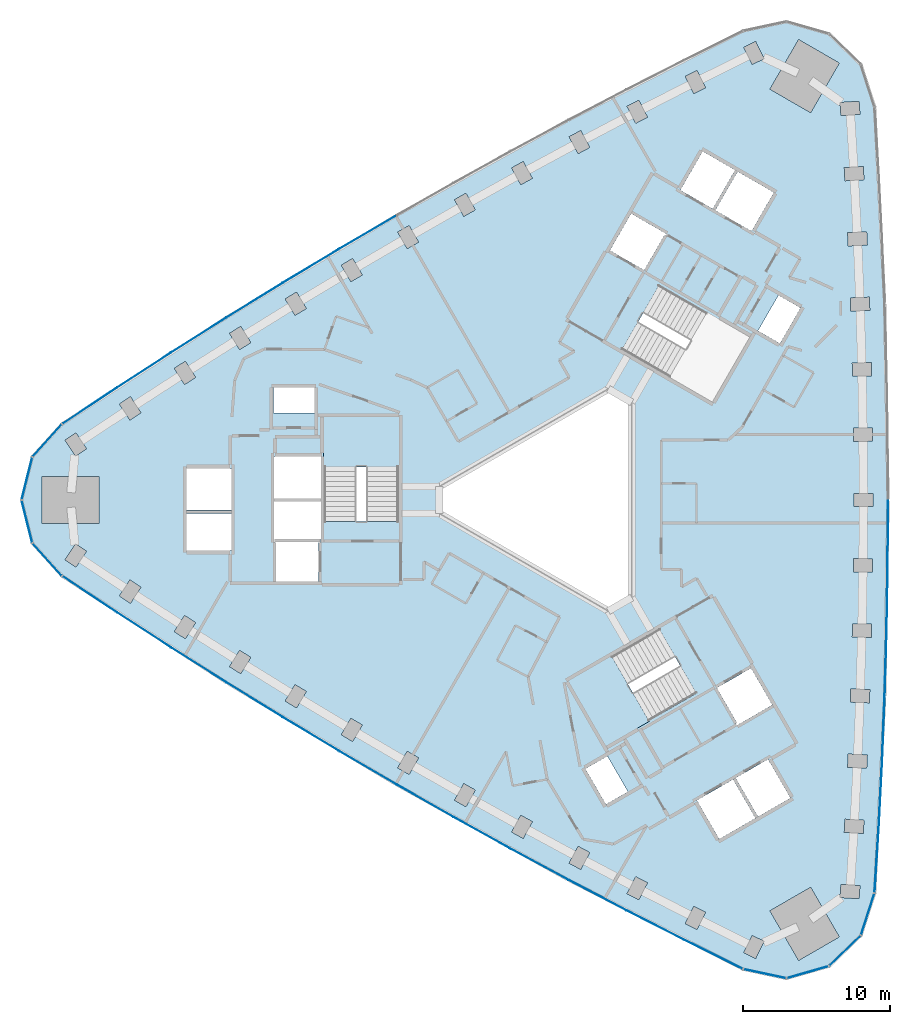
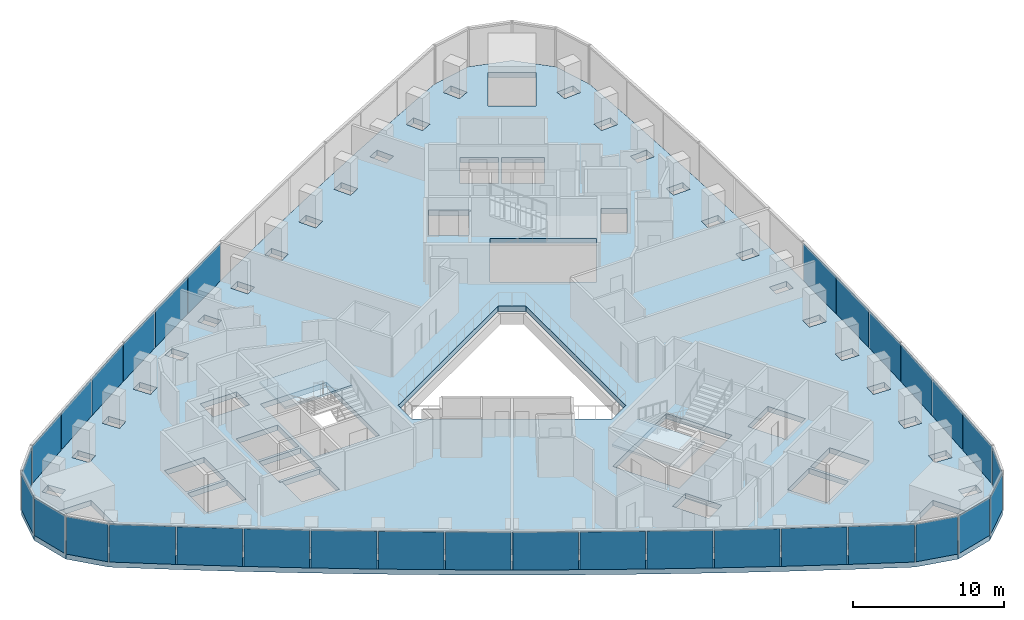
# One storey, part 6 of 12: 32 plates, 3 slabs, 5 elements without a shape of their own.
"""IFC4 building model written with IfcOpenShell, lengths in metres."""

from ifc_helpers import new_model, si_unit, direction, frame, origin, origin_2d, place, context, subcontext, project, spatial, polyline, rectangle, outline, extrude, material, layer, layer_set, type_object, element, aggregate, save


model = new_model("IFC4")

# Units and contexts
model_context = context("Model", 3, precision=1e-05, world=origin(), true_north=direction((0.0, 1.0)))
body_context = subcontext(model_context, "Body", "Model", "MODEL_VIEW")
ifc_project = project(units=[si_unit("LENGTHUNIT", "METRE"), si_unit("AREAUNIT", "SQUARE_METRE"), si_unit("VOLUMEUNIT", "CUBIC_METRE"), si_unit("PLANEANGLEUNIT", "RADIAN"), si_unit("MASSUNIT", "GRAM", prefix="KILO")], contexts=[model_context])

# Site, building, storey
site_placement = place(None, origin())
site = spatial("IfcSite", under=ifc_project, at=site_placement, CompositionType="ELEMENT")
building_placement = place(site_placement, origin())
building = spatial("IfcBuilding", under=site, at=building_placement, Name="Tamra Quay Hotel Tower", CompositionType="ELEMENT")
storey_placement = place(building_placement, frame((0.0, 0.0, 115.39990234375)))
storey = spatial("IfcBuildingStorey", under=building, at=storey_placement, Name="L28", CompositionType="ELEMENT", Elevation=115.39990234375)

# Stair, slab
ifc_material_1 = material(Name="Exit stair 2200 24 risers 150.0 going 342")
stair_type = type_object("IfcStairType", Name="Exit stair 2200 24 risers 150.0 going 342", PredefinedType="HALF_TURN_STAIR", material=ifc_material_1)
stair_1_placement = place(storey_placement, origin())
stair_1 = element("IfcStair", 1, at=stair_1_placement, inside=storey, type_object=stair_type, Name="L28 Exit stair ST3", PredefinedType="HALF_TURN_STAIR")
ifc_material_2 = material(Name="Concrete M70", Category="concrete")
ifc_layer_1 = layer(ifc_material_2, 0.175048828125)
ifc_layer_set_1 = layer_set([ifc_layer_1], Name="Concrete M70 stair landing 180")
slab_type_1 = type_object("IfcSlabType", Name="Concrete M70 stair landing 180", PredefinedType="LANDING", material=ifc_layer_set_1)
slab_1_placement = place(storey_placement, frame((0.0, 0.0, 1.625)))
slab_1 = element("IfcSlab", 2, at=slab_1_placement, type_object=slab_type_1, Name="ST3 landing 1", PredefinedType="LANDING", context=body_context, shape_type="SweptSolid", body=[
    extrude(outline(polyline([(-10.932373046875, 2.261962890625), (-10.932373046875, 5.679931640625), (-16.09130859375, 5.679931640625), (-16.09130859375, 2.261962890625), (-10.932373046875, 2.261962890625)])), origin(), (0.0, 0.0, 1.0), 0.175048828125),
])
aggregate(stair_1, [slab_1])

stair_2_placement = place(storey_placement, origin())
stair_2 = element("IfcStair", 3, at=stair_2_placement, inside=storey, type_object=stair_type, Name="L28 Exit stair ST2", PredefinedType="HALF_TURN_STAIR")
slab_2_placement = place(storey_placement, frame((0.0, 0.0, 1.625)))
slab_2 = element("IfcSlab", 4, at=slab_2_placement, type_object=slab_type_1, Name="ST2 landing 1", PredefinedType="LANDING", context=body_context, shape_type="SweptSolid", body=[
    extrude(outline(polyline([(3.50732421875, -10.5986328125), (0.547119140625, -12.3076171875), (3.126708984375, -16.775390625), (6.086669921875, -15.06640625), (3.50732421875, -10.5986328125)])), origin(), (0.0, 0.0, 1.0), 0.175048828125),
])
aggregate(stair_2, [slab_2])

# Slab
ifc_material_3 = material(Name="Concrete M60", Category="concrete")
ifc_layer_2 = layer(ifc_material_3, 0.425048828125)
ifc_layer_set_2 = layer_set([ifc_layer_2], Name="FLOOR SLAB PT 425")
slab_type_2 = type_object("IfcSlabType", Name="FLOOR SLAB PT 425", PredefinedType="FLOOR", material=ifc_layer_set_2)
slab_3_placement = place(storey_placement, frame((0.0, 0.0, -0.4248046875)))
element("IfcSlab", 5, at=slab_3_placement, inside=storey, type_object=slab_type_2, Name="SLAB-L28", PredefinedType="FLOOR", context=body_context, shape_type="SweptSolid", body=[
    extrude(outline(polyline([(21.696044921875, 22.307861328125), (21.92529296875, 17.849853515625), (22.103515625, 13.389404296875), (22.23095703125, 8.92724609375), (22.3076171875, 4.4638671875), (22.3330078125, 0.0), (22.3076171875, -4.4638671875), (22.23095703125, -8.92724609375), (22.103515625, -13.389404296875), (21.92529296875, -17.849853515625), (21.696044921875, -22.307861328125), (21.41650390625, -26.762451171875), (20.48779296875, -29.6328125), (18.31884765625, -31.729248046875), (15.418701171875, -32.559326171875), (12.46875, -31.928466796875), (8.47119140625, -29.943359375), (4.49560546875, -27.91259765625), (0.543701171875, -25.8369140625), (-3.38427734375, -23.71630859375), (-7.287841796875, -21.55078125), (-11.16650390625, -19.3408203125), (-15.01953125, -17.0869140625), (-18.8466796875, -14.7890625), (-22.647216796875, -12.447509765625), (-26.4208984375, -10.06298828125), (-30.167236328125, -7.635498046875), (-33.88525390625, -5.166015625), (-35.906494140625, -2.9267578125), (-36.6376953125, 0.0), (-35.906494140625, 2.9267578125), (-33.88525390625, 5.166015625), (-30.167236328125, 7.635498046875), (-26.4208984375, 10.06298828125), (-22.647216796875, 12.447509765625), (-18.8466796875, 14.7890625), (-15.01953125, 17.0869140625), (-11.16650390625, 19.3408203125), (-7.287841796875, 21.55078125), (-3.38427734375, 23.71630859375), (0.543701171875, 25.8369140625), (4.49560546875, 27.91259765625), (8.47119140625, 29.943359375), (12.46875, 31.928466796875), (15.418701171875, 32.559326171875), (18.31884765625, 31.729248046875), (20.48779296875, 29.6328125), (21.41650390625, 26.762451171875), (21.696044921875, 22.307861328125)]), holes=[polyline([(-14.884521484375, -15.9765625), (-14.1103515625, -16.435302734375), (-13.447509765625, -15.317138671875), (-14.2216796875, -14.858154296875), (-14.884521484375, -15.9765625)]), polyline([(-18.0234375, -12.569580078125), (-18.698974609375, -13.680419921875), (-17.929931640625, -14.14794921875), (-17.25439453125, -13.037353515625), (-18.0234375, -12.569580078125)]), polyline([(-21.798583984375, -10.23779296875), (-22.487060546875, -11.340576171875), (-21.723388671875, -11.817138671875), (-21.03515625, -10.714111328125), (-21.798583984375, -10.23779296875)]), polyline([(-25.547119140625, -7.86279296875), (-26.248046875, -8.9580078125), (-25.489990234375, -9.443115234375), (-24.789306640625, -8.34814453125), (-25.547119140625, -7.86279296875)]), polyline([(-29.268310546875, -5.445556640625), (-29.981689453125, -6.532470703125), (-29.229248046875, -7.026123046875), (-28.51611328125, -5.939453125), (-29.268310546875, -5.445556640625)]), polyline([(-16.3173828125, -2.85498046875), (-19.4072265625, -2.85498046875), (-19.4072265625, -2.89306640625), (-19.307373046875, -2.89306640625), (-19.307373046875, -5.544921875), (-16.417236328125, -5.544921875), (-16.417236328125, -2.89306640625), (-16.3173828125, -2.89306640625), (-16.3173828125, -2.85498046875)]), polyline([(-32.96240234375, -2.986083984375), (-33.6875, -4.06494140625), (-32.9404296875, -4.56689453125), (-32.215576171875, -3.488037109375), (-32.96240234375, -2.986083984375)]), polyline([(-22.3671875, -3.445068359375), (-22.3671875, -0.905029296875), (-25.4072265625, -0.905029296875), (-25.4072265625, -3.445068359375), (-22.3671875, -3.445068359375)]), polyline([(-19.417236328125, -2.89306640625), (-19.417236328125, -2.64501953125), (-16.307373046875, -2.64501953125), (-16.307373046875, -2.89306640625), (-16.26708984375, -2.89306640625), (-16.26708984375, -0.10498046875), (-19.45751953125, -0.10498046875), (-19.45751953125, -2.89306640625), (-19.417236328125, -2.89306640625)]), polyline([(-31.36376953125, 1.60009765625), (-35.263671875, 1.60009765625), (-35.263671875, -1.60009765625), (-31.36376953125, -1.60009765625), (-31.36376953125, 1.60009765625)]), polyline([(-25.4072265625, -0.695068359375), (-22.3671875, -0.695068359375), (-22.3671875, 2.14501953125), (-25.4072265625, 2.14501953125), (-25.4072265625, -0.695068359375)]), polyline([(-19.45751953125, 0.10498046875), (-16.26708984375, 0.10498046875), (-16.26708984375, 2.945068359375), (-19.45751953125, 2.945068359375), (-19.45751953125, 0.10498046875)]), polyline([(-16.036376953125, -1.455078125), (-10.9873046875, -1.455078125), (-10.9873046875, 5.625), (-16.036376953125, 5.625), (-16.036376953125, -1.455078125)]), polyline([(-32.215576171875, 3.488037109375), (-32.9404296875, 4.56689453125), (-33.6875, 4.06494140625), (-32.96240234375, 2.986083984375), (-32.215576171875, 3.488037109375)]), polyline([(-28.51611328125, 5.939453125), (-29.229248046875, 7.026123046875), (-29.981689453125, 6.532470703125), (-29.268310546875, 5.445556640625), (-28.51611328125, 5.939453125)]), polyline([(-19.50732421875, 7.64501953125), (-19.50732421875, 5.9150390625), (-16.71728515625, 5.9150390625), (-16.71728515625, 7.64501953125), (-19.50732421875, 7.64501953125)]), polyline([(-24.789306640625, 8.34814453125), (-25.489990234375, 9.443115234375), (-26.248046875, 8.9580078125), (-25.547119140625, 7.86279296875), (-24.789306640625, 8.34814453125)]), polyline([(-21.03515625, 10.714111328125), (-21.723388671875, 11.817138671875), (-22.487060546875, 11.340576171875), (-21.798583984375, 10.23779296875), (-21.03515625, 10.714111328125)]), polyline([(-17.25439453125, 13.037353515625), (-17.929931640625, 14.14794921875), (-18.698974609375, 13.680419921875), (-18.0234375, 12.569580078125), (-17.25439453125, 13.037353515625)]), polyline([(-13.447509765625, 15.317138671875), (-14.1103515625, 16.435302734375), (-14.884521484375, 15.9765625), (-14.2216796875, 14.858154296875), (-13.447509765625, 15.317138671875)]), polyline([(9.1142578125, -27.665283203125), (8.52978515625, -28.826416015625), (9.33349609375, -29.231201171875), (9.918212890625, -28.070068359375), (9.1142578125, -27.665283203125)]), polyline([(5.164794921875, -25.64208984375), (4.567138671875, -26.79638671875), (5.3662109375, -27.210205078125), (5.964111328125, -26.055908203125), (5.164794921875, -25.64208984375)]), polyline([(1.23876953125, -23.57421875), (0.627685546875, -24.721435546875), (1.422119140625, -25.14453125), (2.033203125, -23.9970703125), (1.23876953125, -23.57421875)]), polyline([(-2.663330078125, -21.46142578125), (-3.28759765625, -22.601806640625), (-2.498046875, -23.033935546875), (-1.873779296875, -21.8935546875), (-2.663330078125, -21.46142578125)]), polyline([(13.3056640625, -21.65576171875), (11.78564453125, -19.02294921875), (9.325927734375, -20.443115234375), (10.845947265625, -23.075927734375), (13.3056640625, -21.65576171875)]), polyline([(-6.541259765625, -19.304443359375), (-7.17822265625, -20.437744140625), (-6.393798828125, -20.878662109375), (-5.756591796875, -19.74560546875), (-6.541259765625, -19.304443359375)]), polyline([(1.73779296875, -18.300048828125), (3.1328125, -20.71630859375), (4.631103515625, -19.851318359375), (3.236083984375, -17.43505859375), (1.73779296875, -18.300048828125)]), polyline([(-10.394287109375, -17.103271484375), (-11.044189453125, -18.22900390625), (-10.264892578125, -18.67919921875), (-9.61474609375, -17.55322265625), (-10.394287109375, -17.103271484375)]), polyline([(10.68115234375, -12.790283203125), (12.05615234375, -15.171875), (11.969482421875, -15.2216796875), (12.03955078125, -15.343017578125), (14.455810546875, -13.947998046875), (13.0107421875, -11.4453125), (10.68115234375, -12.790283203125)]), polyline([(9.2783203125, -13.160400390625), (6.75390625, -8.78759765625), (0.622314453125, -12.32763671875), (3.146728515625, -16.7001953125), (9.2783203125, -13.160400390625)]), polyline([(-8.199951171875, 0.923828125), (-8.199951171875, -0.923828125), (3.300048828125, -7.563232421875), (4.89990234375, -6.639404296875), (4.89990234375, 6.639404296875), (3.300048828125, 7.563232421875), (-8.199951171875, 0.923828125)]), polyline([(6.758056640625, 14.615478515625), (4.2333984375, 10.242919921875), (10.364990234375, 6.702880859375), (12.889404296875, 11.075439453125), (6.758056640625, 14.615478515625)]), polyline([(5.736083984375, 15.645263671875), (7.111083984375, 18.02685546875), (7.19775390625, 17.976806640625), (7.267578125, 18.09814453125), (4.8515625, 19.4931640625), (3.406494140625, 16.990234375), (5.736083984375, 15.645263671875)]), polyline([(-9.61474609375, 17.55322265625), (-10.264892578125, 18.67919921875), (-11.044189453125, 18.22900390625), (-10.394287109375, 17.103271484375), (-9.61474609375, 17.55322265625)]), polyline([(-5.756591796875, 19.74560546875), (-6.393798828125, 20.878662109375), (-7.17822265625, 20.437744140625), (-6.541259765625, 19.304443359375), (-5.756591796875, 19.74560546875)]), polyline([(8.2001953125, 21.093017578125), (10.39990234375, 19.822998046875), (11.919921875, 22.455810546875), (9.72021484375, 23.725830078125), (8.2001953125, 21.093017578125)]), polyline([(-1.873779296875, 21.8935546875), (-2.498046875, 23.033935546875), (-3.28759765625, 22.601806640625), (-2.663330078125, 21.46142578125), (-1.873779296875, 21.8935546875)]), polyline([(2.033203125, 23.9970703125), (1.422119140625, 25.14453125), (0.627685546875, 24.721435546875), (1.23876953125, 23.57421875), (2.033203125, 23.9970703125)]), polyline([(5.964111328125, 26.055908203125), (5.3662109375, 27.210205078125), (4.567138671875, 26.79638671875), (5.164794921875, 25.64208984375), (5.964111328125, 26.055908203125)]), polyline([(9.918212890625, 28.070068359375), (9.33349609375, 29.231201171875), (8.52978515625, 28.826416015625), (9.1142578125, 27.665283203125), (9.918212890625, 28.070068359375)]), polyline([(13.0869140625, -29.643310546875), (12.51513671875, -30.810791015625), (13.323486328125, -31.206787109375), (13.895263671875, -30.039306640625), (13.0869140625, -29.643310546875)]), polyline([(14.296142578125, -27.9619140625), (16.24609375, -31.339111328125), (19.017333984375, -29.7392578125), (17.0673828125, -26.36181640625), (14.296142578125, -27.9619140625)]), polyline([(19.067138671875, -27.05322265625), (20.3642578125, -27.141845703125), (20.42529296875, -26.243896484375), (19.12841796875, -26.155517578125), (19.067138671875, -27.05322265625)]), polyline([(19.350341796875, -22.624267578125), (20.648193359375, -22.698486328125), (20.699462890625, -21.800048828125), (19.401611328125, -21.725830078125), (19.350341796875, -22.624267578125)]), polyline([(14.1669921875, -17.648193359375), (11.96728515625, -18.91796875), (13.487548828125, -21.55078125), (15.68701171875, -20.281005859375), (14.1669921875, -17.648193359375)]), polyline([(20.8818359375, -18.25244140625), (20.9228515625, -17.353515625), (19.624267578125, -17.2939453125), (19.5830078125, -18.193115234375), (20.8818359375, -18.25244140625)]), polyline([(19.765380859375, -13.75927734375), (21.064697265625, -13.803955078125), (21.095703125, -12.904541015625), (19.79638671875, -12.85986328125), (19.765380859375, -13.75927734375)]), polyline([(19.897216796875, -9.323974609375), (21.197021484375, -9.353759765625), (21.217529296875, -8.453857421875), (19.91796875, -8.424072265625), (19.897216796875, -9.323974609375)]), polyline([(19.978515625, -4.88720703125), (21.2783203125, -4.902099609375), (21.288818359375, -4.002197265625), (19.98876953125, -3.9873046875), (19.978515625, -4.88720703125)]), polyline([(20.009033203125, -0.449951171875), (21.30908203125, -0.449951171875), (21.30908203125, 0.449951171875), (20.009033203125, 0.449951171875), (20.009033203125, -0.449951171875)]), polyline([(19.98876953125, 3.9873046875), (21.288818359375, 4.002197265625), (21.2783203125, 4.902099609375), (19.978515625, 4.88720703125), (19.98876953125, 3.9873046875)]), polyline([(19.91796875, 8.424072265625), (21.217529296875, 8.453857421875), (21.197021484375, 9.353759765625), (19.897216796875, 9.323974609375), (19.91796875, 8.424072265625)]), polyline([(14.9794921875, 10.655029296875), (16.37451171875, 13.0712890625), (14.876220703125, 13.936279296875), (13.481201171875, 11.52001953125), (14.9794921875, 10.655029296875)]), polyline([(19.79638671875, 12.85986328125), (21.095703125, 12.904541015625), (21.064697265625, 13.803955078125), (19.765380859375, 13.75927734375), (19.79638671875, 12.85986328125)]), polyline([(19.624267578125, 17.2939453125), (20.9228515625, 17.353515625), (20.8818359375, 18.25244140625), (19.5830078125, 18.193115234375), (19.624267578125, 17.2939453125)]), polyline([(12.101806640625, 22.350830078125), (10.58154296875, 19.718017578125), (13.041259765625, 18.298095703125), (14.561279296875, 20.930908203125), (12.101806640625, 22.350830078125)]), polyline([(19.401611328125, 21.725830078125), (20.699462890625, 21.800048828125), (20.648193359375, 22.698486328125), (19.350341796875, 22.624267578125), (19.401611328125, 21.725830078125)]), polyline([(19.12841796875, 26.155517578125), (20.42529296875, 26.243896484375), (20.3642578125, 27.141845703125), (19.067138671875, 27.05322265625), (19.12841796875, 26.155517578125)]), polyline([(17.0673828125, 26.36181640625), (19.017333984375, 29.7392578125), (16.24609375, 31.339111328125), (14.296142578125, 27.9619140625), (17.0673828125, 26.36181640625)]), polyline([(13.895263671875, 30.039306640625), (13.323486328125, 31.206787109375), (12.51513671875, 30.810791015625), (13.0869140625, 29.643310546875), (13.895263671875, 30.039306640625)])]), origin(), (0.0, 0.0, 1.0), 0.4248046875),
])

# Curtain wall, plates
ifc_material_4 = material(Name="Aluminium 6063 anodised dark grey", Category="aluminium")
curtain_wall_type_1 = type_object("IfcCurtainWallType", Name="CW1 CURTAIN WALL", PredefinedType="NOTDEFINED", material=ifc_material_4)
curtain_wall_1_placement = place(storey_placement, origin())
curtain_wall_1 = element("IfcCurtainWall", 6, at=curtain_wall_1_placement, inside=storey, type_object=curtain_wall_type_1, Name="CW1 east face L28", PredefinedType="NOTDEFINED")
ifc_material_5 = material(Name="Glass clear laminated low-iron", Category="glass")
ifc_layer_3 = layer(ifc_material_5, 0.033935546875)
ifc_layer_set_3 = layer_set([ifc_layer_3], Name="GLASS PANEL CW1 Z2")
plate_type_1 = type_object("IfcPlateType", Name="GLASS PANEL CW1 Z2", PredefinedType="CURTAIN_PANEL", material=ifc_layer_set_3)
plate_1_placement = place(storey_placement, frame((21.556396484375, -24.53515625, 0.0), z_axis=(0.0, 0.0, 1.0), x_axis=(0.062670105733, 0.998034296929, 0.0)))
plate_1 = element("IfcPlate", 7, at=plate_1_placement, type_object=plate_type_1, Name="CW1 glass L28.E.1", PredefinedType="CURTAIN_PANEL", context=body_context, shape_type="SweptSolid", body=[
    extrude(rectangle(XDim=4.363525390625, YDim=0.033935546875, at=origin_2d()), origin(), (0.0, 0.0, 1.0), 3.06005859375),
])
plate_2_placement = place(storey_placement, frame((21.810791015625, -20.078857421875, 0.0), z_axis=(0.0, 0.0, 1.0), x_axis=(0.051320550821, 0.998682232276, 0.0)))
plate_2 = element("IfcPlate", 8, at=plate_2_placement, type_object=plate_type_1, Name="CW1 glass L28.E.2", PredefinedType="CURTAIN_PANEL", context=body_context, shape_type="SweptSolid", body=[
    extrude(rectangle(XDim=4.364013671875, YDim=0.033935546875, at=origin_2d()), origin(), (0.0, 0.0, 1.0), 3.06005859375),
])
plate_3_placement = place(storey_placement, frame((22.014404296875, -15.61962890625, 0.0), z_axis=(0.0, 0.0, 1.0), x_axis=(0.039943755239, 0.999201929751, 0.0)))
plate_3 = element("IfcPlate", 9, at=plate_3_placement, type_object=plate_type_1, Name="CW1 glass L28.E.3", PredefinedType="CURTAIN_PANEL", context=body_context, shape_type="SweptSolid", body=[
    extrude(rectangle(XDim=4.364013671875, YDim=0.033935546875, at=origin_2d()), origin(), (0.0, 0.0, 1.0), 3.06005859375),
])
plate_4_placement = place(storey_placement, frame((22.167236328125, -11.158203125, 0.0), z_axis=(0.0, 0.0, 1.0), x_axis=(0.028546238865, 0.999592473084, 0.0)))
plate_4 = element("IfcPlate", 10, at=plate_4_placement, type_object=plate_type_1, Name="CW1 glass L28.E.4", PredefinedType="CURTAIN_PANEL", context=body_context, shape_type="SweptSolid", body=[
    extrude(rectangle(XDim=4.364013671875, YDim=0.033935546875, at=origin_2d()), origin(), (0.0, 0.0, 1.0), 3.06005859375),
])
plate_5_placement = place(storey_placement, frame((22.269287109375, -6.695556640625, 0.0), z_axis=(0.0, 0.0, 1.0), x_axis=(0.017133900698, 0.999853203949, 0.0)))
plate_5 = element("IfcPlate", 11, at=plate_5_placement, type_object=plate_type_1, Name="CW1 glass L28.E.5", PredefinedType="CURTAIN_PANEL", context=body_context, shape_type="SweptSolid", body=[
    extrude(rectangle(XDim=4.364013671875, YDim=0.033935546875, at=origin_2d()), origin(), (0.0, 0.0, 1.0), 3.06005859375),
])
plate_6_placement = place(storey_placement, frame((22.3203125, -2.23193359375, 0.0), z_axis=(0.0, 0.0, 1.0), x_axis=(0.005712677225, 0.999983682526, 0.0)))
plate_6 = element("IfcPlate", 12, at=plate_6_placement, type_object=plate_type_1, Name="CW1 glass L28.E.6", PredefinedType="CURTAIN_PANEL", context=body_context, shape_type="SweptSolid", body=[
    extrude(rectangle(XDim=4.364013671875, YDim=0.033935546875, at=origin_2d()), origin(), (0.0, 0.0, 1.0), 3.06005859375),
])
aggregate(curtain_wall_1, [plate_1, plate_2, plate_3, plate_4, plate_5, plate_6])

curtain_wall_type_2 = type_object("IfcCurtainWallType", Name="CW2 CURTAIN WALL", PredefinedType="NOTDEFINED", material=ifc_material_4)
curtain_wall_2_placement = place(storey_placement, origin())
curtain_wall_2 = element("IfcCurtainWall", 13, at=curtain_wall_2_placement, inside=storey, type_object=curtain_wall_type_2, Name="CW2 north-west face L28", PredefinedType="NOTDEFINED")
ifc_layer_4 = layer(ifc_material_5, 0.033935546875)
ifc_layer_set_4 = layer_set([ifc_layer_4], Name="GLASS PANEL CW2 Z2")
plate_type_2 = type_object("IfcPlateType", Name="GLASS PANEL CW2 Z2", PredefinedType="CURTAIN_PANEL", material=ifc_layer_set_4)
plate_7_placement = place(storey_placement, frame((-13.093017578125, 18.2138671875, 0.0), z_axis=(0.0, 0.0, 1.0), x_axis=(-0.863154933825, -0.504939164863, 0.0)))
plate_7 = element("IfcPlate", 14, at=plate_7_placement, type_object=plate_type_2, Name="CW2 glass L28.NW.7", PredefinedType="CURTAIN_PANEL", context=body_context, shape_type="SweptSolid", body=[
    extrude(rectangle(XDim=4.364013671875, YDim=0.033935546875, at=origin_2d()), origin(), (0.0, 0.0, 1.0), 3.06005859375),
])
plate_8_placement = place(storey_placement, frame((-16.93310546875, 15.93798828125, 0.0), z_axis=(0.0, 0.0, 1.0), x_axis=(-0.857331324326, -0.514764995245, 0.0)))
plate_8 = element("IfcPlate", 15, at=plate_8_placement, type_object=plate_type_2, Name="CW2 glass L28.NW.8", PredefinedType="CURTAIN_PANEL", context=body_context, shape_type="SweptSolid", body=[
    extrude(rectangle(XDim=4.364013671875, YDim=0.033935546875, at=origin_2d()), origin(), (0.0, 0.0, 1.0), 3.06005859375),
])
plate_9_placement = place(storey_placement, frame((-20.7470703125, 13.6181640625, 0.0), z_axis=(0.0, 0.0, 1.0), x_axis=(-0.85139935569, -0.524518004582, 0.0)))
plate_9 = element("IfcPlate", 16, at=plate_9_placement, type_object=plate_type_2, Name="CW2 glass L28.NW.9", PredefinedType="CURTAIN_PANEL", context=body_context, shape_type="SweptSolid", body=[
    extrude(rectangle(XDim=4.364013671875, YDim=0.033935546875, at=origin_2d()), origin(), (0.0, 0.0, 1.0), 3.06005859375),
])
plate_10_placement = place(storey_placement, frame((-24.5341796875, 11.255126953125, 0.0), z_axis=(0.0, 0.0, 1.0), x_axis=(-0.845362377055, -0.534193271635, 0.0)))
plate_10 = element("IfcPlate", 17, at=plate_10_placement, type_object=plate_type_2, Name="CW2 glass L28.NW.10", PredefinedType="CURTAIN_PANEL", context=body_context, shape_type="SweptSolid", body=[
    extrude(rectangle(XDim=4.364013671875, YDim=0.033935546875, at=origin_2d()), origin(), (0.0, 0.0, 1.0), 3.06005859375),
])
plate_11_placement = place(storey_placement, frame((-28.294189453125, 8.84912109375, 0.0), z_axis=(0.0, 0.0, 1.0), x_axis=(-0.839223908048, -0.543786016885, 0.0)))
plate_11 = element("IfcPlate", 18, at=plate_11_placement, type_object=plate_type_2, Name="CW2 glass L28.NW.11", PredefinedType="CURTAIN_PANEL", context=body_context, shape_type="SweptSolid", body=[
    extrude(rectangle(XDim=4.364013671875, YDim=0.033935546875, at=origin_2d()), origin(), (0.0, 0.0, 1.0), 3.06005859375),
])
plate_12_placement = place(storey_placement, frame((-32.026123046875, 6.400634765625, 0.0), z_axis=(0.0, 0.0, 1.0), x_axis=(-0.832988002122, -0.553291052088, 0.0)))
plate_12 = element("IfcPlate", 19, at=plate_12_placement, type_object=plate_type_2, Name="CW2 glass L28.NW.12", PredefinedType="CURTAIN_PANEL", context=body_context, shape_type="SweptSolid", body=[
    extrude(rectangle(XDim=4.363525390625, YDim=0.033935546875, at=origin_2d()), origin(), (0.0, 0.0, 1.0), 3.06005859375),
])
plate_13_placement = place(storey_placement, frame((-34.89599609375, 4.04638671875, 0.0), z_axis=(0.0, 0.0, 1.0), x_axis=(-0.670087934649, -0.742281725383, 0.0)))
plate_13 = element("IfcPlate", 20, at=plate_13_placement, type_object=plate_type_2, Name="CW2 glass L28.NW.13", PredefinedType="CURTAIN_PANEL", context=body_context, shape_type="SweptSolid", body=[
    extrude(rectangle(XDim=2.916748046875, YDim=0.033935546875, at=origin_2d()), origin(), (0.0, 0.0, 1.0), 3.06005859375),
])
plate_14_placement = place(storey_placement, frame((-36.272216796875, 1.46337890625, 0.0), z_axis=(0.0, 0.0, 1.0), x_axis=(-0.242338764242, -0.970191694123, 0.0)))
plate_14 = element("IfcPlate", 21, at=plate_14_placement, type_object=plate_type_2, Name="CW2 glass L28.NW.14", PredefinedType="CURTAIN_PANEL", context=body_context, shape_type="SweptSolid", body=[
    extrude(rectangle(XDim=2.916748046875, YDim=0.033935546875, at=origin_2d()), origin(), (0.0, 0.0, 1.0), 3.06005859375),
])
plate_15_placement = place(storey_placement, frame((-36.272216796875, -1.46337890625, 0.0), z_axis=(0.0, 0.0, 1.0), x_axis=(0.242338764242, -0.970191694123, 0.0)))
plate_15 = element("IfcPlate", 22, at=plate_15_placement, type_object=plate_type_2, Name="CW2 glass L28.NW.15", PredefinedType="CURTAIN_PANEL", context=body_context, shape_type="SweptSolid", body=[
    extrude(rectangle(XDim=2.916748046875, YDim=0.033935546875, at=origin_2d()), origin(), (0.0, 0.0, 1.0), 3.06005859375),
])
plate_16_placement = place(storey_placement, frame((-34.89599609375, -4.04638671875, 0.0), z_axis=(0.0, 0.0, 1.0), x_axis=(0.670087934649, -0.742281725383, 0.0)))
plate_16 = element("IfcPlate", 23, at=plate_16_placement, type_object=plate_type_2, Name="CW2 glass L28.NW.16", PredefinedType="CURTAIN_PANEL", context=body_context, shape_type="SweptSolid", body=[
    extrude(rectangle(XDim=2.916748046875, YDim=0.033935546875, at=origin_2d()), origin(), (0.0, 0.0, 1.0), 3.06005859375),
])
aggregate(curtain_wall_2, [plate_7, plate_8, plate_9, plate_10, plate_11, plate_12, plate_13, plate_14, plate_15, plate_16])

curtain_wall_type_3 = type_object("IfcCurtainWallType", Name="CW3 CURTAIN WALL", PredefinedType="NOTDEFINED", material=ifc_material_4)
curtain_wall_3_placement = place(storey_placement, origin())
curtain_wall_3 = element("IfcCurtainWall", 24, at=curtain_wall_3_placement, inside=storey, type_object=curtain_wall_type_3, Name="CW3 south-west face L28", PredefinedType="NOTDEFINED")
ifc_layer_5 = layer(ifc_material_5, 0.033935546875)
ifc_layer_set_5 = layer_set([ifc_layer_5], Name="GLASS PANEL CW3 Z2")
plate_type_3 = type_object("IfcPlateType", Name="GLASS PANEL CW3 Z2", PredefinedType="CURTAIN_PANEL", material=ifc_layer_set_5)
plate_17_placement = place(storey_placement, frame((-32.026123046875, -6.400634765625, 0.0), z_axis=(0.0, 0.0, 1.0), x_axis=(0.832988002122, -0.553291052088, 0.0)))
plate_17 = element("IfcPlate", 25, at=plate_17_placement, type_object=plate_type_3, Name="CW3 glass L28.SW.1", PredefinedType="CURTAIN_PANEL", context=body_context, shape_type="SweptSolid", body=[
    extrude(rectangle(XDim=4.363525390625, YDim=0.033935546875, at=origin_2d()), origin(), (0.0, 0.0, 1.0), 3.06005859375),
])
plate_18_placement = place(storey_placement, frame((-28.294189453125, -8.84912109375, 0.0), z_axis=(0.0, 0.0, 1.0), x_axis=(0.839223908048, -0.543786016885, 0.0)))
plate_18 = element("IfcPlate", 26, at=plate_18_placement, type_object=plate_type_3, Name="CW3 glass L28.SW.2", PredefinedType="CURTAIN_PANEL", context=body_context, shape_type="SweptSolid", body=[
    extrude(rectangle(XDim=4.364013671875, YDim=0.033935546875, at=origin_2d()), origin(), (0.0, 0.0, 1.0), 3.06005859375),
])
plate_19_placement = place(storey_placement, frame((-24.5341796875, -11.255126953125, 0.0), z_axis=(0.0, 0.0, 1.0), x_axis=(0.845362377055, -0.534193271635, 0.0)))
plate_19 = element("IfcPlate", 27, at=plate_19_placement, type_object=plate_type_3, Name="CW3 glass L28.SW.3", PredefinedType="CURTAIN_PANEL", context=body_context, shape_type="SweptSolid", body=[
    extrude(rectangle(XDim=4.364013671875, YDim=0.033935546875, at=origin_2d()), origin(), (0.0, 0.0, 1.0), 3.06005859375),
])
plate_20_placement = place(storey_placement, frame((-20.7470703125, -13.6181640625, 0.0), z_axis=(0.0, 0.0, 1.0), x_axis=(0.85139935569, -0.524518004582, 0.0)))
plate_20 = element("IfcPlate", 28, at=plate_20_placement, type_object=plate_type_3, Name="CW3 glass L28.SW.4", PredefinedType="CURTAIN_PANEL", context=body_context, shape_type="SweptSolid", body=[
    extrude(rectangle(XDim=4.364013671875, YDim=0.033935546875, at=origin_2d()), origin(), (0.0, 0.0, 1.0), 3.06005859375),
])
plate_21_placement = place(storey_placement, frame((-16.93310546875, -15.93798828125, 0.0), z_axis=(0.0, 0.0, 1.0), x_axis=(0.857331324326, -0.514764995245, 0.0)))
plate_21 = element("IfcPlate", 29, at=plate_21_placement, type_object=plate_type_3, Name="CW3 glass L28.SW.5", PredefinedType="CURTAIN_PANEL", context=body_context, shape_type="SweptSolid", body=[
    extrude(rectangle(XDim=4.364013671875, YDim=0.033935546875, at=origin_2d()), origin(), (0.0, 0.0, 1.0), 3.06005859375),
])
plate_22_placement = place(storey_placement, frame((-13.093017578125, -18.2138671875, 0.0), z_axis=(0.0, 0.0, 1.0), x_axis=(0.863154933825, -0.504939164863, 0.0)))
plate_22 = element("IfcPlate", 30, at=plate_22_placement, type_object=plate_type_3, Name="CW3 glass L28.SW.6", PredefinedType="CURTAIN_PANEL", context=body_context, shape_type="SweptSolid", body=[
    extrude(rectangle(XDim=4.364013671875, YDim=0.033935546875, at=origin_2d()), origin(), (0.0, 0.0, 1.0), 3.06005859375),
])
plate_23_placement = place(storey_placement, frame((-9.227294921875, -20.44580078125, 0.0), z_axis=(0.0, 0.0, 1.0), x_axis=(0.86886761105, -0.495044517663, 0.0)))
plate_23 = element("IfcPlate", 31, at=plate_23_placement, type_object=plate_type_3, Name="CW3 glass L28.SW.7", PredefinedType="CURTAIN_PANEL", context=body_context, shape_type="SweptSolid", body=[
    extrude(rectangle(XDim=4.364013671875, YDim=0.033935546875, at=origin_2d()), origin(), (0.0, 0.0, 1.0), 3.06005859375),
])
plate_24_placement = place(storey_placement, frame((-5.336181640625, -22.633544921875, 0.0), z_axis=(0.0, 0.0, 1.0), x_axis=(0.874465225024, -0.485088208704, 0.0)))
plate_24 = element("IfcPlate", 32, at=plate_24_placement, type_object=plate_type_3, Name="CW3 glass L28.SW.8", PredefinedType="CURTAIN_PANEL", context=body_context, shape_type="SweptSolid", body=[
    extrude(rectangle(XDim=4.364013671875, YDim=0.033935546875, at=origin_2d()), origin(), (0.0, 0.0, 1.0), 3.06005859375),
])
plate_25_placement = place(storey_placement, frame((-1.420166015625, -24.776611328125, 0.0), z_axis=(0.0, 0.0, 1.0), x_axis=(0.879945594555, -0.475074468502, 0.0)))
plate_25 = element("IfcPlate", 33, at=plate_25_placement, type_object=plate_type_3, Name="CW3 glass L28.SW.9", PredefinedType="CURTAIN_PANEL", context=body_context, shape_type="SweptSolid", body=[
    extrude(rectangle(XDim=4.364013671875, YDim=0.033935546875, at=origin_2d()), origin(), (0.0, 0.0, 1.0), 3.06005859375),
])
plate_26_placement = place(storey_placement, frame((2.519775390625, -26.874755859375, 0.0), z_axis=(0.0, 0.0, 1.0), x_axis=(0.885306132294, -0.465008658116, 0.0)))
plate_26 = element("IfcPlate", 34, at=plate_26_placement, type_object=plate_type_3, Name="CW3 glass L28.SW.10", PredefinedType="CURTAIN_PANEL", context=body_context, shape_type="SweptSolid", body=[
    extrude(rectangle(XDim=4.364013671875, YDim=0.033935546875, at=origin_2d()), origin(), (0.0, 0.0, 1.0), 3.06005859375),
])
plate_27_placement = place(storey_placement, frame((6.4833984375, -28.927978515625, 0.0), z_axis=(0.0, 0.0, 1.0), x_axis=(0.89054445887, -0.454896215391, 0.0)))
plate_27 = element("IfcPlate", 35, at=plate_27_placement, type_object=plate_type_3, Name="CW3 glass L28.SW.11", PredefinedType="CURTAIN_PANEL", context=body_context, shape_type="SweptSolid", body=[
    extrude(rectangle(XDim=4.364013671875, YDim=0.033935546875, at=origin_2d()), origin(), (0.0, 0.0, 1.0), 3.06005859375),
])
plate_28_placement = place(storey_placement, frame((10.469970703125, -30.935791015625, 0.0), z_axis=(0.0, 0.0, 1.0), x_axis=(0.895658107856, -0.444743244842, 0.0)))
plate_28 = element("IfcPlate", 36, at=plate_28_placement, type_object=plate_type_3, Name="CW3 glass L28.SW.12", PredefinedType="CURTAIN_PANEL", context=body_context, shape_type="SweptSolid", body=[
    extrude(rectangle(XDim=4.363525390625, YDim=0.033935546875, at=origin_2d()), origin(), (0.0, 0.0, 1.0), 3.06005859375),
])
plate_29_placement = place(storey_placement, frame((13.94384765625, -32.243896484375, 0.0), z_axis=(0.0, 0.0, 1.0), x_axis=(0.977878798271, -0.209172311484, 0.0)))
plate_29 = element("IfcPlate", 37, at=plate_29_placement, type_object=plate_type_3, Name="CW3 glass L28.SW.13", PredefinedType="CURTAIN_PANEL", context=body_context, shape_type="SweptSolid", body=[
    extrude(rectangle(XDim=2.916748046875, YDim=0.033935546875, at=origin_2d()), origin(), (0.0, 0.0, 1.0), 3.06005859375),
])
plate_30_placement = place(storey_placement, frame((16.868896484375, -32.144287109375, 0.0), z_axis=(0.0, 0.0, 1.0), x_axis=(0.961380035772, 0.275224320906, 0.0)))
plate_30 = element("IfcPlate", 38, at=plate_30_placement, type_object=plate_type_3, Name="CW3 glass L28.SW.14", PredefinedType="CURTAIN_PANEL", context=body_context, shape_type="SweptSolid", body=[
    extrude(rectangle(XDim=2.916748046875, YDim=0.033935546875, at=origin_2d()), origin(), (0.0, 0.0, 1.0), 3.06005859375),
])
plate_31_placement = place(storey_placement, frame((19.4033203125, -30.680908203125, 0.0), z_axis=(0.0, 0.0, 1.0), x_axis=(0.71904127153, 0.694967373217, 0.0)))
plate_31 = element("IfcPlate", 39, at=plate_31_placement, type_object=plate_type_3, Name="CW3 glass L28.SW.15", PredefinedType="CURTAIN_PANEL", context=body_context, shape_type="SweptSolid", body=[
    extrude(rectangle(XDim=2.916748046875, YDim=0.033935546875, at=origin_2d()), origin(), (0.0, 0.0, 1.0), 3.06005859375),
])
plate_32_placement = place(storey_placement, frame((20.9521484375, -28.197509765625, 0.0), z_axis=(0.0, 0.0, 1.0), x_axis=(0.307790863622, 0.951454036867, 0.0)))
plate_32 = element("IfcPlate", 40, at=plate_32_placement, type_object=plate_type_3, Name="CW3 glass L28.SW.16", PredefinedType="CURTAIN_PANEL", context=body_context, shape_type="SweptSolid", body=[
    extrude(rectangle(XDim=2.916748046875, YDim=0.033935546875, at=origin_2d()), origin(), (0.0, 0.0, 1.0), 3.06005859375),
])
aggregate(curtain_wall_3, [plate_17, plate_18, plate_19, plate_20, plate_21, plate_22, plate_23, plate_24, plate_25, plate_26, plate_27, plate_28, plate_29, plate_30, plate_31, plate_32])

save(model, "model.ifc")
